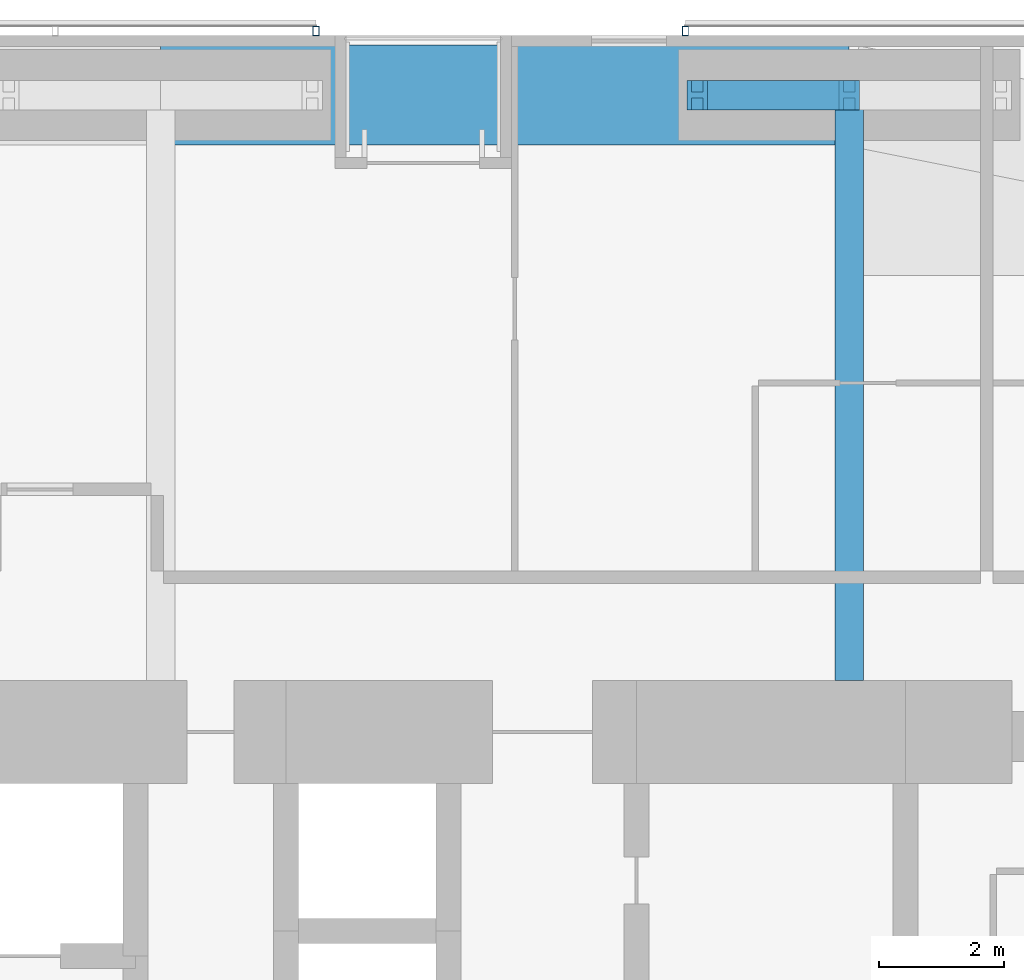
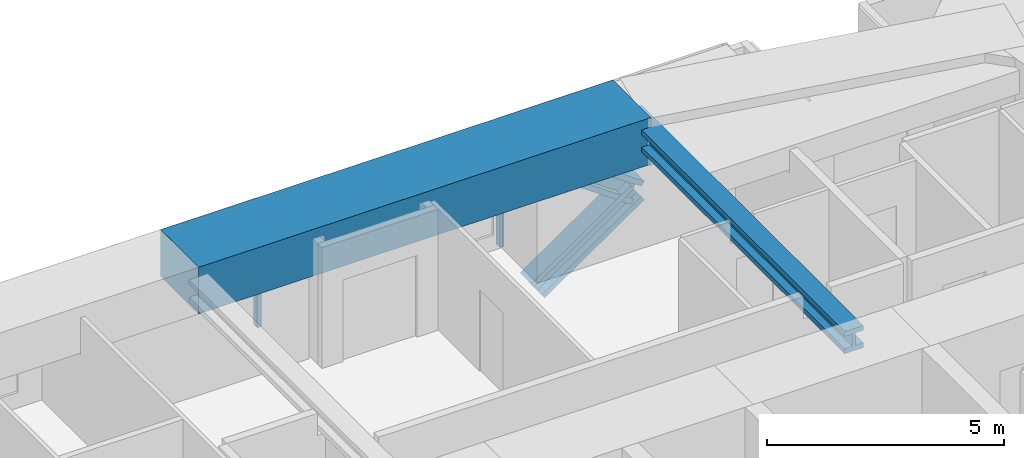
# One storey, part 13 of 23: 4 members, 2 beams, 2 elements without a shape of their own.
"""IFC4 building model written with IfcOpenShell, lengths in metres."""

from ifc_helpers import new_model, si_unit, direction, frame, origin, origin_2d, place, context, subcontext, project, spatial, rectangle, hollow_rectangle, i_section, extrude, material, material_profile, profile_set, type_object, element, aggregate, save


model = new_model("IFC4")

# Units and contexts
model_context = context("Model", 3, precision=1e-05, world=origin(), true_north=direction((0.0, 1.0)))
body_context = subcontext(model_context, "Body", "Model", "MODEL_VIEW")
ifc_project = project(units=[si_unit("LENGTHUNIT", "METRE"), si_unit("AREAUNIT", "SQUARE_METRE"), si_unit("VOLUMEUNIT", "CUBIC_METRE"), si_unit("PLANEANGLEUNIT", "RADIAN"), si_unit("MASSUNIT", "GRAM", prefix="KILO")], contexts=[model_context])

# Site, building, storey
site_placement = place(None, origin())
site = spatial("IfcSite", under=ifc_project, at=site_placement, CompositionType="ELEMENT")
building_placement = place(site_placement, origin())
building = spatial("IfcBuilding", under=site, at=building_placement, Name="Jalousie Tower", CompositionType="ELEMENT")
storey_placement = place(building_placement, frame((0.0, 0.0, 31.050048828125)))
storey = spatial("IfcBuildingStorey", under=building, at=storey_placement, Name="L07", CompositionType="ELEMENT", Elevation=31.050048828125)

# Beam
ifc_material_1 = material(Name="Steel ASTM A992 Grade 50", Category="steel")
ifc_material_profile_1 = material_profile(ifc_material_1, i_section(OverallWidth=0.45458984375, OverallDepth=0.569091796875, WebThickness=0.077880859375, FlangeThickness=0.124755859375, at=origin_2d()), Name="W14X730")
ifc_profile_set_1 = profile_set([ifc_material_profile_1], Name="Steel ASTM A992 Grade 50")
beam_type_1 = type_object("IfcBeamType", Name="LEAN COLLECTOR W14X730", PredefinedType="BEAM", material=ifc_profile_set_1)
beam_1_placement = place(storey_placement, frame((35.0, 37.050048828125, 2.825439453125), z_axis=(0.0, -1.0, 0.0), x_axis=(1.0, 0.0, 0.0)))
element("IfcBeam", 1, at=beam_1_placement, inside=storey, type_object=beam_type_1, Name="Lean collector under L08", PredefinedType="BEAM", context=body_context, shape_type="SweptSolid", body=[
    extrude(i_section(OverallWidth=0.45458984375, OverallDepth=0.569091796875, WebThickness=0.077880859375, FlangeThickness=0.124755859375, at=origin_2d()), origin(), (0.0, 0.0, 1.0), 9.35009765625),
])

# Members
ifc_material_2 = material(Name="Steel ASTM A992 Grade 50", Category="steel")
ifc_material_profile_2 = material_profile(ifc_material_2, i_section(OverallWidth=0.472412109375, OverallDepth=0.5791015625, WebThickness=0.094970703125, FlangeThickness=0.1298828125, at=origin_2d()), Name="W14X808")
ifc_profile_set_2 = profile_set([ifc_material_profile_2], Name="Steel ASTM A992 Grade 50")
member_type_1 = type_object("IfcMemberType", Name="PERIMETER BRACE W14X808", PredefinedType="BRACE", material=ifc_profile_set_2)
for number, where, z_axis, x_axis, name in (
    (2, (32.574951171875, 37.050048828125, -0.60009765625), (0.822800062329, 0.0, 0.568330940062), (0.0, 1.0, 0.0), "Perimeter brace 09 L07 part 1"),
    (3, (35.0, 37.050048828125, 1.074951171875), (-0.822800062329, 0.0, 0.568330940062), (0.0, -1.0, 0.0), "Perimeter brace 09 L07 part 4"),
):
    element("IfcMember", number, at=place(storey_placement, frame(where, z_axis=z_axis, x_axis=x_axis)), inside=storey, type_object=member_type_1, Name=name, PredefinedType="BRACE", context=body_context, shape_type="SweptSolid", body=[
        extrude(i_section(OverallWidth=0.472412109375, OverallDepth=0.5791015625, WebThickness=0.094970703125, FlangeThickness=0.1298828125, at=origin_2d()), origin(), (0.0, 0.0, 1.0), 2.947265625),
    ])

# Beam
ifc_material_3 = material(Name="Concrete f'c 40 MPa", Category="concrete")
ifc_material_profile_3 = material_profile(ifc_material_3, rectangle(XDim=1.60009765625, YDim=1.199951171875, at=origin_2d()), Name="RC 1600x1200")
ifc_profile_set_3 = profile_set([ifc_material_profile_3], Name="Concrete f'c 40 MPa")
beam_type_2 = type_object("IfcBeamType", Name="RC BEAM 1600x1200", PredefinedType="BEAM", material=ifc_profile_set_3)
beam_2_placement = place(storey_placement, frame((35.0, 37.050048828125, 2.75), z_axis=(-1.0, 0.0, 0.0), x_axis=(0.0, -1.0, 0.0)))
element("IfcBeam", 4, at=beam_2_placement, inside=storey, type_object=beam_type_2, Name="Edge band beam 09-10 under L08", PredefinedType="BEAM", context=body_context, shape_type="SweptSolid", body=[
    extrude(rectangle(XDim=1.60009765625, YDim=1.199951171875, at=origin_2d()), origin(), (0.0, 0.0, 1.0), 11.0),
])

# Curtain wall, member
ifc_material_4 = material(Name="Perforated aluminium sheet", Category="aluminium")
curtain_wall_type = type_object("IfcCurtainWallType", Name="SOLAR SCREEN SS-1", PredefinedType="USERDEFINED", material=ifc_material_4)
curtain_wall_1_placement = place(storey_placement, origin())
curtain_wall_1 = element("IfcCurtainWall", 5, at=curtain_wall_1_placement, inside=storey, type_object=curtain_wall_type, Name="Solar screen L07", ObjectType="SOLAR SCREEN SS-1", PredefinedType="USERDEFINED")
ifc_material_5 = material(Name="Steel ASTM A500 Grade C", Category="steel")
ifc_material_profile_4 = material_profile(ifc_material_5, hollow_rectangle(XDim=0.1015625, YDim=0.15234375, WallThickness=0.00634765625, at=origin_2d()), Name="HSS6X4X1/4")
ifc_profile_set_4 = profile_set([ifc_material_profile_4], Name="Steel ASTM A500 Grade C")
member_type_2 = type_object("IfcMemberType", Name="SOLAR SCREEN SS-1 MULLION", PredefinedType="MULLION", material=ifc_profile_set_4)
member_1_placement = place(storey_placement, frame((32.3818359375, 38.0712890625, -0.1201171875), z_axis=(0.0, 0.0, 1.0), x_axis=(-1.0, 0.0, 0.0)))
member_1 = element("IfcMember", 6, at=member_1_placement, type_object=member_type_2, Name="SS1 post 2", PredefinedType="MULLION", context=body_context, shape_type="SweptSolid", body=[
    extrude(hollow_rectangle(XDim=0.1015625, YDim=0.15234375, WallThickness=0.00634765625, at=origin_2d()), origin(), (0.0, 0.0, 1.0), 3.22998046875),
])
aggregate(curtain_wall_1, [member_1])

curtain_wall_2_placement = place(storey_placement, origin())
curtain_wall_2 = element("IfcCurtainWall", 7, at=curtain_wall_2_placement, inside=storey, type_object=curtain_wall_type, Name="Solar screen L07", ObjectType="SOLAR SCREEN SS-1", PredefinedType="USERDEFINED")
member_2_placement = place(storey_placement, frame((26.483154296875, 38.0712890625, -0.1201171875), z_axis=(0.0, 0.0, 1.0), x_axis=(-1.0, 0.0, 0.0)))
member_2 = element("IfcMember", 8, at=member_2_placement, type_object=member_type_2, Name="SS1 post 1", PredefinedType="MULLION", context=body_context, shape_type="SweptSolid", body=[
    extrude(hollow_rectangle(XDim=0.1015625, YDim=0.15234375, WallThickness=0.00634765625, at=origin_2d()), origin(), (0.0, 0.0, 1.0), 3.22998046875),
])
aggregate(curtain_wall_2, [member_2])

save(model, "model.ifc")
